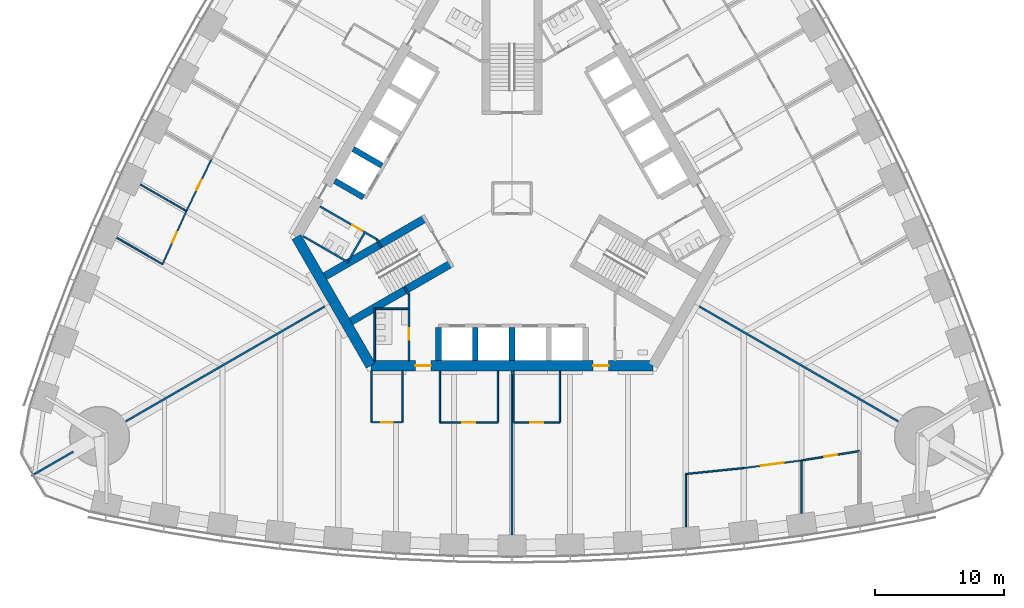
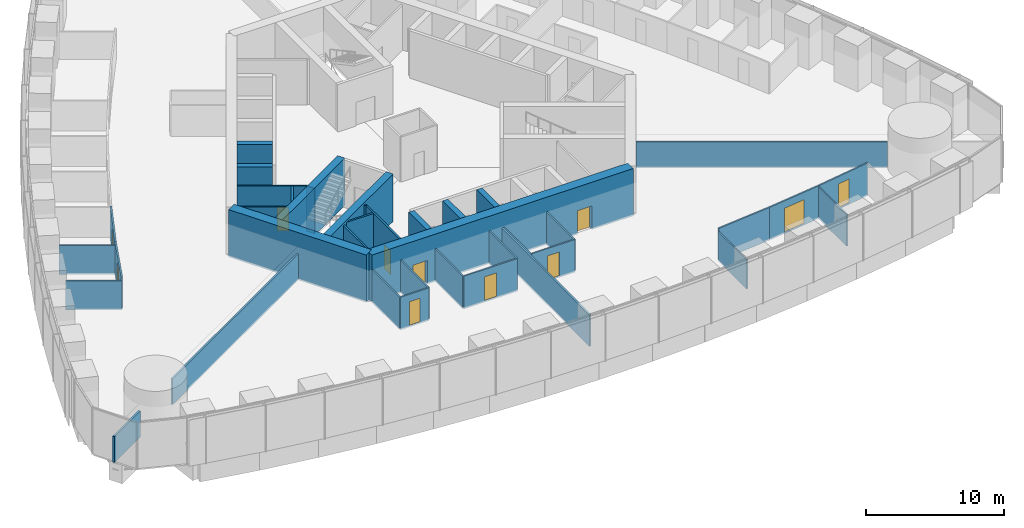
# One storey, part 10 of 19: 39 walls, 11 doors, 11 openings.
"""IFC4 building model written with IfcOpenShell, lengths in metres."""

import ifcopenshell
import ifcopenshell.guid

model = None  # the IFC model being written
_history = None  # IfcOwnerHistory: only IFC2X3 demands one
_inside = {}  # id of a spatial element -> (the spatial element, [elements in it])
_under = {}  # id of a project, library or spatial element -> (it, [spatial elements below it])
_declared = {}  # id of a project -> (the project, [libraries it declares])
_typed = {}  # id of a type object -> (the type object, [elements of that type])
_made_of = {}  # id of a material, layer set ... -> (it, [elements and type objects made of it])


def new_model(schema):
    """Start an empty IFC model of exactly this schema.

    Asked for "IFC4X3", IfcOpenShell would pick the latest addendum, in which some entities
    have other attributes; the version numbers below select the first issue.
    IFC2X3 requires an IfcOwnerHistory on every rooted entity: one is made here for all.
    """
    global model, _history
    if schema == "IFC4X3":
        model = ifcopenshell.file(schema_version=(4, 3, 0, 0))
    else:
        model = ifcopenshell.file(schema=schema)
    _inside.clear()
    _under.clear()
    _declared.clear()
    _typed.clear()
    _made_of.clear()
    _history = None
    if model.schema == "IFC2X3":
        org = make("IfcOrganization", Name="unknown")
        user = make(
            "IfcPersonAndOrganization",
            ThePerson=make("IfcPerson", FamilyName="unknown"),
            TheOrganization=org,
        )
        app = make(
            "IfcApplication",
            ApplicationDeveloper=org,
            Version="unknown",
            ApplicationFullName="unknown",
            ApplicationIdentifier="unknown",
        )
        _history = make(
            "IfcOwnerHistory",
            OwningUser=user,
            OwningApplication=app,
            ChangeAction="ADDED",
            CreationDate=0,
        )
    return model


def make(cls, **values):
    """One entity of the class cls with the attributes given. An attribute that is None is left unset."""
    return model.create_entity(
        cls, **{name: value for name, value in values.items() if value is not None}
    )


def rooted(cls, **values):
    """An entity with a GlobalId (a new one), such as an element, a storey or a relation."""
    return make(cls, GlobalId=ifcopenshell.guid.new(), OwnerHistory=_history, **values)


def si_unit(unit_type, name, prefix=None):
    """IfcSIUnit, for example si_unit("LENGTHUNIT", "METRE", prefix="MILLI")."""
    return make("IfcSIUnit", UnitType=unit_type, Prefix=prefix, Name=name)


def assignment(units):
    """IfcUnitAssignment: the units of a project."""
    return None if units is None else make("IfcUnitAssignment", Units=units)


def point(xyz):
    """IfcCartesianPoint."""
    return None if xyz is None else make("IfcCartesianPoint", Coordinates=xyz)


def direction(xyz):
    """IfcDirection."""
    return None if xyz is None else make("IfcDirection", DirectionRatios=xyz)


def frame(location, z_axis=None, x_axis=None):
    """IfcAxis2Placement3D, a coordinate frame: its origin and axes. An axis left out is left unset."""
    return make(
        "IfcAxis2Placement3D",
        Location=point(location),
        Axis=direction(z_axis),
        RefDirection=direction(x_axis),
    )


def frame_2d(location, x_axis=None):
    """IfcAxis2Placement2D, a coordinate frame in the plane: its origin and x axis."""
    return make(
        "IfcAxis2Placement2D", Location=point(location), RefDirection=direction(x_axis)
    )


def origin():
    """The frame at (0, 0, 0) with its axes left unset."""
    return frame((0.0, 0.0, 0.0))


def place(relative_to, where):
    """IfcLocalPlacement: puts the frame where relative to a parent placement (None: the world)."""
    return make(
        "IfcLocalPlacement", PlacementRelTo=relative_to, RelativePlacement=where
    )


def context(
    kind, dimensions, precision=None, world=None, true_north=None, identifier=None
):
    """IfcGeometricRepresentationContext, for example the 3D "Model" context."""
    return make(
        "IfcGeometricRepresentationContext",
        ContextIdentifier=identifier,
        ContextType=kind,
        CoordinateSpaceDimension=dimensions,
        Precision=precision,
        WorldCoordinateSystem=world,
        TrueNorth=true_north,
    )


def subcontext(parent, identifier, kind, view, scale=None):
    """IfcGeometricRepresentationSubContext, for example "Body" below "Model"."""
    return make(
        "IfcGeometricRepresentationSubContext",
        ContextIdentifier=identifier,
        ContextType=kind,
        ParentContext=parent,
        TargetScale=scale,
        TargetView=view,
    )


def project(units=None, contexts=None):
    """IfcProject with its units and contexts."""
    return rooted(
        "IfcProject",
        Name="project",
        RepresentationContexts=contexts,
        UnitsInContext=assignment(units),
    )


def spatial(cls, under=None, at=None, **own):
    """A site, building, storey or space (cls), placed at a placement, below another one or the project."""
    s = rooted(cls, ObjectPlacement=at, **own)
    if under is not None:
        _under.setdefault(under.id(), (under, []))[1].append(s)
    return s


def profile(cls, at=None, kind="AREA", **sizes):
    """A parametric profile (cls). Its sizes go by their IFC names, for example OverallWidth=200.0."""
    return make(cls, ProfileType=kind, Position=at, **sizes)


def rectangle(**sizes):
    """IfcRectangleProfileDef."""
    return profile("IfcRectangleProfileDef", **sizes)


def extrude(swept, where, along, depth):
    """IfcExtrudedAreaSolid: the profile swept, set in the frame where, extruded along a direction by depth."""
    return make(
        "IfcExtrudedAreaSolid",
        SweptArea=swept,
        Position=where,
        ExtrudedDirection=direction(along),
        Depth=depth,
    )


def shape(context_of_items, identifier, shape_type, items):
    """IfcShapeRepresentation: the items that make up one representation, for example the "Body"."""
    return make(
        "IfcShapeRepresentation",
        ContextOfItems=context_of_items,
        RepresentationIdentifier=identifier,
        RepresentationType=shape_type,
        Items=items,
    )


def material(Name=None, Category=None):
    """IfcMaterial."""
    return make("IfcMaterial", Name=Name, Category=Category)


def layer(
    of_material, thickness, ventilated=None, Name=None, Category=None, Priority=None
):
    """IfcMaterialLayer: one layer of a wall or slab, of a material (None: an air gap)."""
    return make(
        "IfcMaterialLayer",
        Material=of_material,
        LayerThickness=thickness,
        IsVentilated=ventilated,
        Name=Name,
        Category=Category,
        Priority=Priority,
    )


def layer_set(layers, Name=None):
    """IfcMaterialLayerSet."""
    return make("IfcMaterialLayerSet", MaterialLayers=layers, LayerSetName=Name)


def made_of(thing, what):
    """Note that an element or type object is made of a material, layer set ...; save() writes the relation."""
    if what is not None:
        _made_of.setdefault(what.id(), (what, []))[1].append(thing)
    return thing


def type_object(cls, material=None, **own):
    """A type object (cls), such as IfcWallType, which elements share."""
    return made_of(rooted(cls, **own), material)


def element(
    cls,
    number,
    at=None,
    inside=None,
    cuts=None,
    type_object=None,
    material=None,
    context=None,
    identifier="Body",
    shape_type=None,
    held_by="IfcProductDefinitionShape",
    body=None,
    shapes=None,
    **own,
):
    """One element of the class cls, such as IfcWall. Its Tag is "e" and its number.

    at: its placement. inside: the storey or other place that contains it. cuts: it is an
    opening in that element (IfcRelVoidsElement). A single representation is given by context,
    identifier, shape_type and body (its items); several are given by shapes. held_by: the class
    of the entity that holds the representations. save() writes the other relations.
    """
    e = rooted(cls, Tag="e%d" % number, ObjectPlacement=at, **own)
    if body is not None:
        shapes = [shape(context, identifier, shape_type, body)]
    if shapes is not None:
        e.Representation = make(held_by, Representations=shapes)
    if inside is not None:
        _inside.setdefault(inside.id(), (inside, []))[1].append(e)
    if cuts is not None:
        rooted(
            "IfcRelVoidsElement", RelatingBuildingElement=cuts, RelatedOpeningElement=e
        )
    if type_object is not None:
        _typed.setdefault(type_object.id(), (type_object, []))[1].append(e)
    return made_of(e, material)


def fill(opening, filler):
    """IfcRelFillsElement: the door or window that sits in an opening."""
    return rooted(
        "IfcRelFillsElement",
        RelatingOpeningElement=opening,
        RelatedBuildingElement=filler,
    )


def aggregate(whole, parts):
    """IfcRelAggregates: a whole, such as a stair, and the parts it consists of."""
    return rooted("IfcRelAggregates", RelatingObject=whole, RelatedObjects=parts)


def save(model, path):
    """Write the relations noted so far, then the file.

    IfcRelAggregates (storeys below a building ...), IfcRelContainedInSpatialStructure (elements
    in a storey), IfcRelDefinesByType, IfcRelAssociatesMaterial and IfcRelDeclares: one each for
    every whole, place, type object, material and project.
    """
    for whole, parts in _under.values():
        aggregate(whole, parts)
    for where, things in _inside.values():
        rooted(
            "IfcRelContainedInSpatialStructure",
            RelatedElements=things,
            RelatingStructure=where,
        )
    for kind, things in _typed.values():
        rooted("IfcRelDefinesByType", RelatedObjects=things, RelatingType=kind)
    for what, things in _made_of.values():
        rooted("IfcRelAssociatesMaterial", RelatedObjects=things, RelatingMaterial=what)
    for by, libraries in _declared.values():
        rooted("IfcRelDeclares", RelatingContext=by, RelatedDefinitions=libraries)
    model.write(path)


model = new_model("IFC4")

# Units and contexts
model_context = context("Model", 3, precision=1e-05, world=origin(), true_north=direction((0.0, 1.0)))
body_context = subcontext(model_context, "Body", "Model", "MODEL_VIEW")
ifc_project = project(units=[si_unit("LENGTHUNIT", "METRE"), si_unit("AREAUNIT", "SQUARE_METRE"), si_unit("VOLUMEUNIT", "CUBIC_METRE"), si_unit("PLANEANGLEUNIT", "RADIAN"), si_unit("MASSUNIT", "GRAM", prefix="KILO")], contexts=[model_context])

# Site, building, storey
site_placement = place(None, origin())
site = spatial("IfcSite", under=ifc_project, at=site_placement, CompositionType="ELEMENT")
building_placement = place(site_placement, origin())
building = spatial("IfcBuilding", under=site, at=building_placement, Name="Trefoil Bronze Tower", CompositionType="ELEMENT")
storey_placement = place(building_placement, frame((0.0, 0.0, 79.5)))
storey = spatial("IfcBuildingStorey", under=building, at=storey_placement, Name="L18", CompositionType="ELEMENT", Elevation=79.5)

# Wall, openings, doors
ifc_material_1 = material(Name="Concrete B80", Category="concrete")
ifc_layer_1 = layer(ifc_material_1, 0.800048828125)
ifc_layer_set_1 = layer_set([ifc_layer_1], Name="Core wall 800")
wall_type_1 = type_object("IfcWallType", Name="Core wall 800", PredefinedType="SHEAR", material=ifc_layer_set_1)
wall_1_placement = place(storey_placement, frame((-10.9697265625, -13.0, 0.0), z_axis=(0.0, 0.0, 1.0), x_axis=(1.0, 0.0, 0.0)))
wall_1 = element("IfcWall", 1, at=wall_1_placement, inside=storey, type_object=wall_type_1, Name="Core long wall 1 L18", PredefinedType="SHEAR", context=body_context, shape_type="SweptSolid", body=[
    extrude(rectangle(XDim=21.939453125, YDim=0.800048828125, at=frame_2d((10.9697265625, 0.0))), origin(), (0.0, 0.0, 1.0), 4.199951171875),
])
opening_1_placement = place(wall_1_placement, frame((17.269775390625, 0.0, 0.0)))
opening_1 = element("IfcOpeningElement", 2, at=opening_1_placement, cuts=wall_1, Name="Opening D2", PredefinedType="OPENING", context=body_context, shape_type="SweptSolid", body=[
    extrude(rectangle(XDim=1.199951171875, YDim=2.10009765625, at=frame_2d((0.60009765625, 1.050048828125))), frame((0.0, 0.409912109375, 0.0), z_axis=(0.0, -1.0, 0.0), x_axis=(1.0, 0.0, 0.0)), (0.0, 0.0, 1.0), 0.820068359375),
])
opening_2_placement = place(wall_1_placement, frame((3.4697265625, 0.0, 0.0)))
opening_2 = element("IfcOpeningElement", 3, at=opening_2_placement, cuts=wall_1, Name="Opening D2", PredefinedType="OPENING", context=body_context, shape_type="SweptSolid", body=[
    extrude(rectangle(XDim=1.199951171875, YDim=2.10009765625, at=frame_2d((0.60009765625, 1.050048828125))), frame((0.0, 0.409912109375, 0.0), z_axis=(0.0, -1.0, 0.0), x_axis=(1.0, 0.0, 0.0)), (0.0, 0.0, 1.0), 0.820068359375),
])
ifc_material_2 = material(Name="Steel door", Category="steel")
door_type_1 = type_object("IfcDoorType", Name="Lobby door 1200", OperationType="SINGLE_SWING_RIGHT", PredefinedType="DOOR", material=ifc_material_2)
door_1_placement = place(opening_1_placement, origin())
door_1 = element("IfcDoor", 4, at=door_1_placement, inside=storey, type_object=door_type_1, Name="Lobby door F1+ L18", OperationType="SINGLE_SWING_RIGHT", OverallHeight=2.10009765625, OverallWidth=1.199951171875, PredefinedType="DOOR", context=body_context, shape_type="SweptSolid", body=[
    extrude(rectangle(XDim=1.199951171875, YDim=2.10009765625, at=frame_2d((0.60009765625, 1.050048828125))), frame((0.0, 0.02490234375, 0.0), z_axis=(0.0, -1.0, 0.0), x_axis=(1.0, 0.0, 0.0)), (0.0, 0.0, 1.0), 0.050048828125),
])
fill(opening_1, door_1)
door_2_placement = place(opening_2_placement, origin())
door_2 = element("IfcDoor", 5, at=door_2_placement, inside=storey, type_object=door_type_1, Name="Lobby door F1- L18", OperationType="SINGLE_SWING_LEFT", OverallHeight=2.10009765625, OverallWidth=1.199951171875, PredefinedType="DOOR", context=body_context, shape_type="SweptSolid", body=[
    extrude(rectangle(XDim=1.199951171875, YDim=2.10009765625, at=frame_2d((0.60009765625, 1.050048828125))), frame((0.0, 0.02490234375, 0.0), z_axis=(0.0, -1.0, 0.0), x_axis=(1.0, 0.0, 0.0)), (0.0, 0.0, 1.0), 0.050048828125),
])
fill(opening_2, door_2)

# Wall
wall_2_placement = place(storey_placement, frame((-16.7431640625, -3.0, 0.0), z_axis=(0.0, 0.0, 1.0), x_axis=(0.499995765644, -0.866027848477, 0.0)))
element("IfcWall", 6, at=wall_2_placement, inside=storey, type_object=wall_type_1, Name="Core short wall 3 L18", PredefinedType="SHEAR", context=body_context, shape_type="SweptSolid", body=[
    extrude(rectangle(XDim=11.546875, YDim=0.800048828125, at=frame_2d((5.7734375, 0.0))), origin(), (0.0, 0.0, 1.0), 4.199951171875),
])

# Wall, opening, door
ifc_material_3 = material(Name="Glazed partition", Category="glass")
ifc_layer_2 = layer(ifc_material_3, 0.1201171875)
ifc_layer_set_2 = layer_set([ifc_layer_2], Name="Glazed partition 120")
wall_type_2 = type_object("IfcWallType", Name="Glazed partition 120", PredefinedType="PARTITIONING", material=ifc_layer_set_2)
wall_3_placement = place(storey_placement, frame((0.125, -17.39990234375, 0.0), z_axis=(0.0, 0.0, 1.0), x_axis=(1.0, 0.0, 0.0)))
wall_3 = element("IfcWall", 7, at=wall_3_placement, inside=storey, type_object=wall_type_2, Name="Partition F1 L18", PredefinedType="PARTITIONING", context=body_context, shape_type="SweptSolid", body=[
    extrude(rectangle(XDim=3.60009765625, YDim=0.1201171875, at=frame_2d((1.800048828125, 0.0))), origin(), (0.0, 0.0, 1.0), 2.89990234375),
])
opening_3_placement = place(wall_3_placement, frame((1.300048828125, 0.0, 0.14990234375)))
opening_3 = element("IfcOpeningElement", 8, at=opening_3_placement, cuts=wall_3, Name="Opening D9", PredefinedType="OPENING", context=body_context, shape_type="SweptSolid", body=[
    extrude(rectangle(XDim=1.0, YDim=2.10009765625, at=frame_2d((0.5, 1.050048828125))), frame((0.0, 0.070068359375, 0.0), z_axis=(0.0, -1.0, 0.0), x_axis=(1.0, 0.0, 0.0)), (0.0, 0.0, 1.0), 0.14013671875),
])
ifc_material_4 = material(Name="Glazed timber door", Category="wood")
door_type_2 = type_object("IfcDoorType", Name="Meeting room door 1000", OperationType="SINGLE_SWING_LEFT", PredefinedType="DOOR", material=ifc_material_4)
door_3_placement = place(opening_3_placement, origin())
door_3 = element("IfcDoor", 9, at=door_3_placement, inside=storey, type_object=door_type_2, Name="Meeting room door F1 L18", OperationType="SINGLE_SWING_LEFT", OverallHeight=2.10009765625, OverallWidth=1.0, PredefinedType="DOOR", context=body_context, shape_type="SweptSolid", body=[
    extrude(rectangle(XDim=1.0, YDim=2.10009765625, at=frame_2d((0.5, 1.050048828125))), frame((0.0, 0.02490234375, 0.0), z_axis=(0.0, -1.0, 0.0), x_axis=(1.0, 0.0, 0.0)), (0.0, 0.0, 1.0), 0.050048828125),
])
fill(opening_3, door_3)

wall_4_placement = place(storey_placement, frame((-10.89990234375, -17.39990234375, 0.0), z_axis=(0.0, 0.0, 1.0), x_axis=(1.0, 0.0, 0.0)))
wall_4 = element("IfcWall", 10, at=wall_4_placement, inside=storey, type_object=wall_type_2, Name="Partition F1 L18", PredefinedType="PARTITIONING", context=body_context, shape_type="SweptSolid", body=[
    extrude(rectangle(XDim=2.39990234375, YDim=0.1201171875, at=frame_2d((1.199951171875, 0.0))), origin(), (0.0, 0.0, 1.0), 2.89990234375),
])
opening_4_placement = place(wall_4_placement, frame((0.75, 0.0, 0.14990234375)))
opening_4 = element("IfcOpeningElement", 11, at=opening_4_placement, cuts=wall_4, Name="Opening D8", PredefinedType="OPENING", context=body_context, shape_type="SweptSolid", body=[
    extrude(rectangle(XDim=0.89990234375, YDim=2.10009765625, at=frame_2d((0.449951171875, 1.050048828125))), frame((0.0, 0.070068359375, 0.0), z_axis=(0.0, -1.0, 0.0), x_axis=(1.0, 0.0, 0.0)), (0.0, 0.0, 1.0), 0.14013671875),
])
ifc_material_5 = material(Name="Timber door", Category="wood")
door_type_3 = type_object("IfcDoorType", Name="Office door 900", OperationType="SINGLE_SWING_LEFT", PredefinedType="DOOR", material=ifc_material_5)
door_4_placement = place(opening_4_placement, origin())
door_4 = element("IfcDoor", 12, at=door_4_placement, inside=storey, type_object=door_type_3, Name="Comms room door F1 L18", OperationType="SINGLE_SWING_LEFT", OverallHeight=2.10009765625, OverallWidth=0.89990234375, PredefinedType="DOOR", context=body_context, shape_type="SweptSolid", body=[
    extrude(rectangle(XDim=0.89990234375, YDim=2.10009765625, at=frame_2d((0.449951171875, 1.050048828125))), frame((0.0, 0.02490234375, 0.0), z_axis=(0.0, -1.0, 0.0), x_axis=(1.0, 0.0, 0.0)), (0.0, 0.0, 1.0), 0.050048828125),
])
fill(opening_4, door_4)

wall_5_placement = place(storey_placement, frame((-5.60009765625, -17.39990234375, 0.0), z_axis=(0.0, 0.0, 1.0), x_axis=(1.0, 0.0, 0.0)))
wall_5 = element("IfcWall", 13, at=wall_5_placement, inside=storey, type_object=wall_type_2, Name="Partition F1 L18", PredefinedType="PARTITIONING", context=body_context, shape_type="SweptSolid", body=[
    extrude(rectangle(XDim=4.5, YDim=0.1201171875, at=frame_2d((2.25, 0.0))), origin(), (0.0, 0.0, 1.0), 2.89990234375),
])
opening_5_placement = place(wall_5_placement, frame((1.75, 0.0, 0.14990234375)))
opening_5 = element("IfcOpeningElement", 14, at=opening_5_placement, cuts=wall_5, Name="Opening D9", PredefinedType="OPENING", context=body_context, shape_type="SweptSolid", body=[
    extrude(rectangle(XDim=1.0, YDim=2.10009765625, at=frame_2d((0.5, 1.050048828125))), frame((0.0, 0.070068359375, 0.0), z_axis=(0.0, -1.0, 0.0), x_axis=(1.0, 0.0, 0.0)), (0.0, 0.0, 1.0), 0.14013671875),
])
door_5_placement = place(opening_5_placement, origin())
door_5 = element("IfcDoor", 15, at=door_5_placement, inside=storey, type_object=door_type_2, Name="Project room door F1 L18", OperationType="SINGLE_SWING_LEFT", OverallHeight=2.10009765625, OverallWidth=1.0, PredefinedType="DOOR", context=body_context, shape_type="SweptSolid", body=[
    extrude(rectangle(XDim=1.0, YDim=2.10009765625, at=frame_2d((0.5, 1.050048828125))), frame((0.0, 0.02490234375, 0.0), z_axis=(0.0, -1.0, 0.0), x_axis=(1.0, 0.0, 0.0)), (0.0, 0.0, 1.0), 0.050048828125),
])
fill(opening_5, door_5)

# Walls
wall_6_placement = place(storey_placement, frame((0.125, -13.39990234375, 0.0), z_axis=(0.0, 0.0, 1.0), x_axis=(0.0, -1.0, 0.0)))
element("IfcWall", 16, at=wall_6_placement, inside=storey, type_object=wall_type_2, Name="Partition F1 L18", PredefinedType="PARTITIONING", context=body_context, shape_type="SweptSolid", body=[
    extrude(rectangle(XDim=4.0, YDim=0.1201171875, at=frame_2d((2.0, 0.0))), origin(), (0.0, 0.0, 1.0), 2.800048828125),
])
for number, where, z_axis, x_axis, name in (
    (17, (3.72509765625, -13.39990234375, 0.0), (0.0, 0.0, 1.0), (0.0, -1.0, 0.0), "Partition F1 L18"),
    (18, (-1.10009765625, -13.39990234375, 0.0), (0.0, 0.0, 1.0), (0.0, -1.0, 0.0), "Partition F1 L18"),
    (19, (-10.89990234375, -13.39990234375, 0.0), (0.0, 0.0, 1.0), (0.0, -1.0, 0.0), "Partition F1 L18"),
    (20, (-5.60009765625, -13.39990234375, 0.0), (0.0, 0.0, 1.0), (0.0, -1.0, 0.0), "Partition F1 L18"),
    (21, (-8.5, -13.39990234375, 0.0), (0.0, 0.0, 1.0), (0.0, -1.0, 0.0), "Partition F1 L18"),
):
    element("IfcWall", number, at=place(storey_placement, frame(where, z_axis=z_axis, x_axis=x_axis)), inside=storey, type_object=wall_type_2, Name=name, PredefinedType="PARTITIONING", context=body_context, shape_type="SweptSolid", body=[
        extrude(rectangle(XDim=4.0, YDim=0.1201171875, at=frame_2d((2.0, 0.0))), origin(), (0.0, 0.0, 1.0), 2.89990234375),
    ])
wall_7_placement = place(storey_placement, frame((13.5, -21.409912109375, 0.0), z_axis=(0.0, 0.0, 1.0), x_axis=(0.994833141332, 0.101523499286, 0.0)))
element("IfcWall", 22, at=wall_7_placement, inside=storey, type_object=wall_type_2, Name="Partition F1 L18", PredefinedType="PARTITIONING", context=body_context, shape_type="SweptSolid", body=[
    extrude(rectangle(XDim=4.5234375, YDim=0.1201171875, at=frame_2d((2.26171875, 0.0))), origin(), (0.0, 0.0, 1.0), 2.89990234375),
])

# Wall, opening, door
wall_8_placement = place(storey_placement, frame((18.0, -20.95068359375, 0.0), z_axis=(0.0, 0.0, 1.0), x_axis=(0.991435244698, 0.130599217346, 0.0)))
wall_8 = element("IfcWall", 23, at=wall_8_placement, inside=storey, type_object=wall_type_2, Name="Partition F1 L18", PredefinedType="PARTITIONING", context=body_context, shape_type="SweptSolid", body=[
    extrude(rectangle(XDim=4.538818359375, YDim=0.1201171875, at=frame_2d((2.26953125, 0.0))), origin(), (0.0, 0.0, 1.0), 2.89990234375),
])
opening_6_placement = place(wall_8_placement, frame((1.35009765625, 0.0, 0.14990234375)))
opening_6 = element("IfcOpeningElement", 24, at=opening_6_placement, cuts=wall_8, Name="Opening D10", PredefinedType="OPENING", context=body_context, shape_type="SweptSolid", body=[
    extrude(rectangle(XDim=1.800048828125, YDim=2.10009765625, at=frame_2d((0.89990234375, 1.050048828125))), frame((0.0, 0.070068359375, 0.0), z_axis=(0.0, -1.0, 0.0), x_axis=(1.0, 0.0, 0.0)), (0.0, 0.0, 1.0), 0.14013671875),
])
ifc_material_6 = material(Name="Timber door", Category="wood")
door_type_4 = type_object("IfcDoorType", Name="Double door 1800", OperationType="DOUBLE_DOOR_SINGLE_SWING", PredefinedType="DOOR", material=ifc_material_6)
door_6_placement = place(opening_6_placement, frame((1.800048828125, 0.0, 0.0), z_axis=(0.0, 0.0, 1.0), x_axis=(-1.0, 0.0, 0.0)))
door_6 = element("IfcDoor", 25, at=door_6_placement, inside=storey, type_object=door_type_4, Name="Kitchen and breakout door F1 L18", OperationType="DOUBLE_DOOR_SINGLE_SWING", OverallHeight=2.10009765625, OverallWidth=1.800048828125, PredefinedType="DOOR", context=body_context, shape_type="SweptSolid", body=[
    extrude(rectangle(XDim=1.800048828125, YDim=2.10009765625, at=frame_2d((0.89990234375, 1.050048828125))), frame((0.0, 0.02490234375, 0.0), z_axis=(0.0, -1.0, 0.0), x_axis=(1.0, 0.0, 0.0)), (0.0, 0.0, 1.0), 0.050048828125),
])
fill(opening_6, door_6)

wall_9_placement = place(storey_placement, frame((22.5, -20.35791015625, 0.0), z_axis=(0.0, 0.0, 1.0), x_axis=(0.987181300889, 0.159602879593, 0.0)))
wall_9 = element("IfcWall", 26, at=wall_9_placement, inside=storey, type_object=wall_type_2, Name="Partition F1 L18", PredefinedType="PARTITIONING", context=body_context, shape_type="SweptSolid", body=[
    extrude(rectangle(XDim=4.558349609375, YDim=0.1201171875, at=frame_2d((2.279296875, 0.0))), origin(), (0.0, 0.0, 1.0), 2.89990234375),
])
opening_7_placement = place(wall_9_placement, frame((1.800048828125, 0.0, 0.14990234375)))
opening_7 = element("IfcOpeningElement", 27, at=opening_7_placement, cuts=wall_9, Name="Opening D9", PredefinedType="OPENING", context=body_context, shape_type="SweptSolid", body=[
    extrude(rectangle(XDim=1.0, YDim=2.10009765625, at=frame_2d((0.5, 1.050048828125))), frame((0.0, 0.070068359375, 0.0), z_axis=(0.0, -1.0, 0.0), x_axis=(1.0, 0.0, 0.0)), (0.0, 0.0, 1.0), 0.14013671875),
])
door_7_placement = place(opening_7_placement, frame((1.0, 0.0, 0.0), z_axis=(0.0, 0.0, 1.0), x_axis=(-1.0, 0.0, 0.0)))
door_7 = element("IfcDoor", 28, at=door_7_placement, inside=storey, type_object=door_type_2, Name="Meeting room door F1 L18", OperationType="SINGLE_SWING_LEFT", OverallHeight=2.10009765625, OverallWidth=1.0, PredefinedType="DOOR", context=body_context, shape_type="SweptSolid", body=[
    extrude(rectangle(XDim=1.0, YDim=2.10009765625, at=frame_2d((0.5, 1.050048828125))), frame((0.0, 0.02490234375, 0.0), z_axis=(0.0, -1.0, 0.0), x_axis=(1.0, 0.0, 0.0)), (0.0, 0.0, 1.0), 0.050048828125),
])
fill(opening_7, door_7)

# Walls
wall_10_placement = place(storey_placement, frame((13.5, -21.409912109375, 0.0), z_axis=(0.0, 0.0, 1.0), x_axis=(0.0, -1.0, 0.0)))
element("IfcWall", 29, at=wall_10_placement, inside=storey, type_object=wall_type_2, Name="Partition F1 L18", PredefinedType="PARTITIONING", context=body_context, shape_type="SweptSolid", body=[
    extrude(rectangle(XDim=4.114013671875, YDim=0.1201171875, at=frame_2d((2.05712890625, 0.0))), origin(), (0.0, 0.0, 1.0), 2.60009765625),
])
wall_11_placement = place(storey_placement, frame((22.5, -20.35791015625, 0.0), z_axis=(0.0, 0.0, 1.0), x_axis=(0.0, -1.0, 0.0)))
element("IfcWall", 30, at=wall_11_placement, inside=storey, type_object=wall_type_2, Name="Partition F1 L18", PredefinedType="PARTITIONING", context=body_context, shape_type="SweptSolid", body=[
    extrude(rectangle(XDim=4.102783203125, YDim=0.1201171875, at=frame_2d((2.05126953125, 0.0))), origin(), (0.0, 0.0, 1.0), 2.800048828125),
])

# Wall, opening, door
wall_12_placement = place(storey_placement, frame((-25.291748046875, -0.986328125, 0.0), z_axis=(0.0, 0.0, 1.0), x_axis=(-0.409451055745, -0.912332084796, 0.0)))
wall_12 = element("IfcWall", 31, at=wall_12_placement, inside=storey, type_object=wall_type_2, Name="Partition F3 L18", PredefinedType="PARTITIONING", context=body_context, shape_type="SweptSolid", body=[
    extrude(rectangle(XDim=4.523193359375, YDim=0.1201171875, at=frame_2d((2.26171875, 0.0))), origin(), (0.0, 0.0, 1.0), 2.89990234375),
])
opening_8_placement = place(wall_12_placement, frame((1.800048828125, 0.0, 0.14990234375)))
opening_8 = element("IfcOpeningElement", 32, at=opening_8_placement, cuts=wall_12, Name="Opening D8", PredefinedType="OPENING", context=body_context, shape_type="SweptSolid", body=[
    extrude(rectangle(XDim=0.89990234375, YDim=2.10009765625, at=frame_2d((0.449951171875, 1.050048828125))), frame((0.0, 0.070068359375, 0.0), z_axis=(0.0, -1.0, 0.0), x_axis=(1.0, 0.0, 0.0)), (0.0, 0.0, 1.0), 0.14013671875),
])
door_8_placement = place(opening_8_placement, frame((0.89990234375, 0.0, 0.0), z_axis=(0.0, 0.0, 1.0), x_axis=(-1.0, 0.0, 0.0)))
door_8 = element("IfcDoor", 33, at=door_8_placement, inside=storey, type_object=door_type_3, Name="Office door F3 L18", OperationType="SINGLE_SWING_RIGHT", OverallHeight=2.10009765625, OverallWidth=0.89990234375, PredefinedType="DOOR", context=body_context, shape_type="SweptSolid", body=[
    extrude(rectangle(XDim=0.89990234375, YDim=2.10009765625, at=frame_2d((0.449951171875, 1.050048828125))), frame((0.0, 0.02490234375, 0.0), z_axis=(0.0, -1.0, 0.0), x_axis=(1.0, 0.0, 0.0)), (0.0, 0.0, 1.0), 0.050048828125),
])
fill(opening_8, door_8)

wall_13_placement = place(storey_placement, frame((-23.3251953125, 3.074462890625, 0.0), z_axis=(0.0, 0.0, 1.0), x_axis=(-0.435857917556, -0.900015486369, 0.0)))
wall_13 = element("IfcWall", 34, at=wall_13_placement, inside=storey, type_object=wall_type_2, Name="Partition F3 L18", PredefinedType="PARTITIONING", context=body_context, shape_type="SweptSolid", body=[
    extrude(rectangle(XDim=4.511962890625, YDim=0.1201171875, at=frame_2d((2.255859375, 0.0))), origin(), (0.0, 0.0, 1.0), 2.89990234375),
])
opening_9_placement = place(wall_13_placement, frame((1.800048828125, 0.0, 0.14990234375)))
opening_9 = element("IfcOpeningElement", 35, at=opening_9_placement, cuts=wall_13, Name="Opening D8", PredefinedType="OPENING", context=body_context, shape_type="SweptSolid", body=[
    extrude(rectangle(XDim=0.89990234375, YDim=2.10009765625, at=frame_2d((0.449951171875, 1.050048828125))), frame((0.0, 0.070068359375, 0.0), z_axis=(0.0, -1.0, 0.0), x_axis=(1.0, 0.0, 0.0)), (0.0, 0.0, 1.0), 0.14013671875),
])
door_9_placement = place(opening_9_placement, frame((0.89990234375, 0.0, 0.0), z_axis=(0.0, 0.0, 1.0), x_axis=(-1.0, 0.0, 0.0)))
door_9 = element("IfcDoor", 36, at=door_9_placement, inside=storey, type_object=door_type_3, Name="Office door F3 L18", OperationType="SINGLE_SWING_RIGHT", OverallHeight=2.10009765625, OverallWidth=0.89990234375, PredefinedType="DOOR", context=body_context, shape_type="SweptSolid", body=[
    extrude(rectangle(XDim=0.89990234375, YDim=2.10009765625, at=frame_2d((0.449951171875, 1.050048828125))), frame((0.0, 0.02490234375, 0.0), z_axis=(0.0, -1.0, 0.0), x_axis=(1.0, 0.0, 0.0)), (0.0, 0.0, 1.0), 0.050048828125),
])
fill(opening_9, door_9)

# Walls
wall_14_placement = place(storey_placement, frame((-25.291748046875, -0.986328125, 0.0), z_axis=(0.0, 0.0, 1.0), x_axis=(-0.86601756884, 0.500013570277, 0.0)))
element("IfcWall", 37, at=wall_14_placement, inside=storey, type_object=wall_type_2, Name="Partition F3 L18", PredefinedType="PARTITIONING", context=body_context, shape_type="SweptSolid", body=[
    extrude(rectangle(XDim=4.11376953125, YDim=0.1201171875, at=frame_2d((2.056884765625, 0.0))), origin(), (0.0, 0.0, 1.0), 2.60009765625),
])
wall_15_placement = place(storey_placement, frame((-27.143798828125, -5.113037109375, 0.0), z_axis=(0.0, 0.0, 1.0), x_axis=(-0.866022320763, 0.500005339912, 0.0)))
element("IfcWall", 38, at=wall_15_placement, inside=storey, type_object=wall_type_2, Name="Partition F3 L18", PredefinedType="PARTITIONING", context=body_context, shape_type="SweptSolid", body=[
    extrude(rectangle(XDim=4.10888671875, YDim=0.1201171875, at=frame_2d((2.054443359375, 0.0))), origin(), (0.0, 0.0, 1.0), 2.60009765625),
])
ifc_material_7 = material(Name="Concrete B80", Category="concrete")
ifc_layer_3 = layer(ifc_material_7, 0.449951171875)
ifc_layer_set_3 = layer_set([ifc_layer_3], Name="Outrigger shaft wall 450")
wall_type_3 = type_object("IfcWallType", Name="Outrigger shaft wall 450", PredefinedType="SHEAR", material=ifc_layer_set_3)
for number, where, z_axis, x_axis, name in (
    (39, (-5.699951171875, -10.02490234375, 0.0), (0.0, 0.0, 1.0), (0.0, -1.0, 0.0), "Lift shaft side wall A0 L18"),
    (40, (-2.85009765625, -10.02490234375, 0.0), (0.0, 0.0, 1.0), (0.0, -1.0, 0.0), "Lift shaft side wall A1 L18"),
    (41, (0.0, -10.02490234375, 0.0), (0.0, 0.0, 1.0), (0.0, -1.0, 0.0), "Lift shaft side wall A2 L18"),
):
    element("IfcWall", number, at=place(storey_placement, frame(where, z_axis=z_axis, x_axis=x_axis)), inside=storey, type_object=wall_type_3, Name=name, PredefinedType="SHEAR", context=body_context, shape_type="SweptSolid", body=[
        extrude(rectangle(XDim=2.5751953125, YDim=0.449951171875, at=frame_2d((1.28759765625, 0.0))), origin(), (0.0, 0.0, 1.0), 4.199951171875),
    ])
for number, where, z_axis, x_axis, name in (
    (42, (-10.10693359375, 2.54443359375, 0.0), (0.0, 0.0, 1.0), (-0.866046643894, 0.499963209246, 0.0), "Lift shaft side wall C3 L18"),
    (43, (-11.531982421875, 0.076171875, 0.0), (0.0, 0.0, 1.0), (-0.866005588531, 0.500034319456, 0.0), "Lift shaft side wall C4 L18"),
):
    element("IfcWall", number, at=place(storey_placement, frame(where, z_axis=z_axis, x_axis=x_axis)), inside=storey, type_object=wall_type_3, Name=name, PredefinedType="SHEAR", context=body_context, shape_type="SweptSolid", body=[
        extrude(rectangle(XDim=2.574951171875, YDim=0.449951171875, at=frame_2d((1.28759765625, 0.0))), origin(), (0.0, 0.0, 1.0), 4.199951171875),
    ])

# Wall, opening, door
ifc_material_8 = material(Name="Gypsum board on steel studs", Category="steel")
ifc_layer_4 = layer(ifc_material_8, 0.14990234375)
ifc_layer_set_4 = layer_set([ifc_layer_4], Name="Partition 150")
wall_type_4 = type_object("IfcWallType", Name="Partition 150", PredefinedType="PARTITIONING", material=ifc_layer_set_4)
wall_16_placement = place(storey_placement, frame((-8.0, -7.5, 0.0), z_axis=(0.0, 0.0, 1.0), x_axis=(0.0, -1.0, 0.0)))
wall_16 = element("IfcWall", 44, at=wall_16_placement, inside=storey, type_object=wall_type_4, Name="Passage wall F1- L18", PredefinedType="PARTITIONING", context=body_context, shape_type="SweptSolid", body=[
    extrude(rectangle(XDim=5.10009765625, YDim=0.14990234375, at=frame_2d((2.550048828125, 0.0))), origin(), (0.0, 0.0, 1.0), 4.0),
])
opening_10_placement = place(wall_16_placement, frame((2.60009765625, 0.0, 0.0)))
opening_10 = element("IfcOpeningElement", 45, at=opening_10_placement, cuts=wall_16, Name="Opening D3", PredefinedType="OPENING", context=body_context, shape_type="SweptSolid", body=[
    extrude(rectangle(XDim=0.89990234375, YDim=2.10009765625, at=frame_2d((0.449951171875, 1.050048828125))), frame((0.0, 0.0849609375, 0.0), z_axis=(0.0, -1.0, 0.0), x_axis=(1.0, 0.0, 0.0)), (0.0, 0.0, 1.0), 0.169921875),
])
ifc_material_9 = material(Name="Timber door", Category="wood")
door_type_5 = type_object("IfcDoorType", Name="WC door 900", OperationType="SINGLE_SWING_LEFT", PredefinedType="DOOR", material=ifc_material_9)
door_10_placement = place(opening_10_placement, frame((0.89990234375, 0.0, 0.0), z_axis=(0.0, 0.0, 1.0), x_axis=(-1.0, 0.0, 0.0)))
door_10 = element("IfcDoor", 46, at=door_10_placement, inside=storey, type_object=door_type_5, Name="WC (women) door L18", OperationType="SINGLE_SWING_RIGHT", OverallHeight=2.10009765625, OverallWidth=0.89990234375, PredefinedType="DOOR", context=body_context, shape_type="SweptSolid", body=[
    extrude(rectangle(XDim=0.89990234375, YDim=2.10009765625, at=frame_2d((0.449951171875, 1.050048828125))), frame((0.0, 0.02490234375, 0.0), z_axis=(0.0, -1.0, 0.0), x_axis=(1.0, 0.0, 0.0)), (0.0, 0.0, 1.0), 0.050048828125),
])
fill(opening_10, door_10)

wall_17_placement = place(storey_placement, frame((-10.4951171875, -3.17822265625, 0.0), z_axis=(0.0, 0.0, 1.0), x_axis=(-0.86602216432, 0.500005610874, 0.0)))
wall_17 = element("IfcWall", 47, at=wall_17_placement, inside=storey, type_object=wall_type_4, Name="Passage wall F3+ L18", PredefinedType="PARTITIONING", context=body_context, shape_type="SweptSolid", body=[
    extrude(rectangle(XDim=5.10009765625, YDim=0.14990234375, at=frame_2d((2.550048828125, 0.0))), origin(), (0.0, 0.0, 1.0), 4.0),
])
opening_11_placement = place(wall_17_placement, frame((1.300048828125, 0.0, 0.0)))
opening_11 = element("IfcOpeningElement", 48, at=opening_11_placement, cuts=wall_17, Name="Opening D3", PredefinedType="OPENING", context=body_context, shape_type="SweptSolid", body=[
    extrude(rectangle(XDim=0.89990234375, YDim=2.10009765625, at=frame_2d((0.449951171875, 1.050048828125))), frame((0.0, 0.0849609375, 0.0), z_axis=(0.0, -1.0, 0.0), x_axis=(1.0, 0.0, 0.0)), (0.0, 0.0, 1.0), 0.169921875),
])
door_11_placement = place(opening_11_placement, origin())
door_11 = element("IfcDoor", 49, at=door_11_placement, inside=storey, type_object=door_type_5, Name="WC (men) door L18", OperationType="SINGLE_SWING_LEFT", OverallHeight=2.10009765625, OverallWidth=0.89990234375, PredefinedType="DOOR", context=body_context, shape_type="SweptSolid", body=[
    extrude(rectangle(XDim=0.89990234375, YDim=2.10009765625, at=frame_2d((0.449951171875, 1.050048828125))), frame((0.0, 0.02490234375, 0.0), z_axis=(0.0, -1.0, 0.0), x_axis=(1.0, 0.0, 0.0)), (0.0, 0.0, 1.0), 0.050048828125),
])
fill(opening_11, door_11)

# Walls
for number, where, z_axis, x_axis, name in (
    (50, (-10.4951171875, -3.17822265625, 0.0), (0.0, 0.0, 1.0), (0.499842556608, -0.866116284689, 0.0), "WC wall ST3-1 L18"),
    (51, (-8.0, -7.5, 0.0), (0.0, 0.0, 1.0), (-0.499842556608, 0.866116284689, 0.0), "WC wall ST3+1 L18"),
):
    element("IfcWall", number, at=place(storey_placement, frame(where, z_axis=z_axis, x_axis=x_axis)), inside=storey, type_object=wall_type_4, Name=name, PredefinedType="PARTITIONING", context=body_context, shape_type="SweptSolid", body=[
        extrude(rectangle(XDim=0.645263671875, YDim=0.14990234375, at=frame_2d((0.32275390625, 0.0))), origin(), (0.0, 0.0, 1.0), 4.0),
    ])
wall_18_placement = place(storey_placement, frame((-12.691162109375, -4.98193359375, 0.0), z_axis=(0.0, 0.0, 1.0), x_axis=(-0.8660249478, 0.500000789788, 0.0)))
element("IfcWall", 52, at=wall_18_placement, inside=storey, type_object=wall_type_4, Name="WC partition WC (men) L18", PredefinedType="PARTITIONING", context=body_context, shape_type="SweptSolid", body=[
    extrude(rectangle(XDim=4.10009765625, YDim=0.14990234375, at=frame_2d((2.050048828125, 0.0))), origin(), (0.0, 0.0, 1.0), 4.0),
])
wall_19_placement = place(storey_placement, frame((-11.463623046875, -2.70556640625, 0.0), z_axis=(0.0, 0.0, 1.0), x_axis=(-0.50001992892, -0.866013897511, 0.0)))
element("IfcWall", 53, at=wall_19_placement, inside=storey, type_object=wall_type_4, Name="WC partition WC (men) L18", PredefinedType="PARTITIONING", context=body_context, shape_type="SweptSolid", body=[
    extrude(rectangle(XDim=2.51025390625, YDim=0.14990234375, at=frame_2d((1.255126953125, 0.0))), origin(), (0.0, 0.0, 1.0), 4.0),
])
wall_20_placement = place(storey_placement, frame((-10.659912109375, -8.5, 0.0), z_axis=(0.0, 0.0, 1.0), x_axis=(0.0, -1.0, 0.0)))
element("IfcWall", 54, at=wall_20_placement, inside=storey, type_object=wall_type_4, Name="WC partition WC (women) L18", PredefinedType="PARTITIONING", context=body_context, shape_type="SweptSolid", body=[
    extrude(rectangle(XDim=4.10009765625, YDim=0.14990234375, at=frame_2d((2.050048828125, 0.0))), origin(), (0.0, 0.0, 1.0), 4.0),
])
wall_21_placement = place(storey_placement, frame((-8.074951171875, -8.574951171875, 0.0), z_axis=(0.0, 0.0, 1.0), x_axis=(-1.0, 0.0, 0.0)))
element("IfcWall", 55, at=wall_21_placement, inside=storey, type_object=wall_type_4, Name="WC partition WC (women) L18", PredefinedType="PARTITIONING", context=body_context, shape_type="SweptSolid", body=[
    extrude(rectangle(XDim=2.510009765625, YDim=0.14990234375, at=frame_2d((1.2548828125, 0.0))), origin(), (0.0, 0.0, 1.0), 4.0),
])
ifc_material_10 = material(Name="Gypsum board on steel studs", Category="steel")
ifc_layer_5 = layer(ifc_material_10, 0.14990234375)
ifc_layer_set_5 = layer_set([ifc_layer_5], Name="Party wall 150")
wall_type_5 = type_object("IfcWallType", Name="Party wall 150", PredefinedType="PARTITIONING", material=ifc_layer_set_5)
for number, where, z_axis, x_axis, name in (
    (56, (14.202880859375, -8.199951171875, 0.0), (0.0, 0.0, 1.0), (0.866024965723, -0.500000758745, 0.0), "Party wall K1 L18"),
    (57, (-14.202880859375, -8.199951171875, 0.0), (0.0, 0.0, 1.0), (-0.866024965723, -0.500000758745, 0.0), "Party wall K3 L18"),
):
    element("IfcWall", number, at=place(storey_placement, frame(where, z_axis=z_axis, x_axis=x_axis)), inside=storey, type_object=wall_type_5, Name=name, PredefinedType="PARTITIONING", context=body_context, shape_type="SweptSolid", body=[
        extrude(rectangle(XDim=18.25, YDim=0.14990234375, at=frame_2d((9.125, 0.0))), origin(), (0.0, 0.0, 1.0), 2.300048828125),
    ])
wall_22_placement = place(storey_placement, frame((-34.078125, -19.675048828125, 0.0), z_axis=(0.0, 0.0, 1.0), x_axis=(-0.866019247219, -0.500010663332, 0.0)))
element("IfcWall", 58, at=wall_22_placement, inside=storey, type_object=wall_type_5, Name="Party wall K3 L18", PredefinedType="PARTITIONING", context=body_context, shape_type="SweptSolid", body=[
    extrude(rectangle(XDim=3.76416015625, YDim=0.14990234375, at=frame_2d((1.882080078125, 0.0))), origin(), (0.0, 0.0, 1.0), 2.300048828125),
])
wall_23_placement = place(storey_placement, frame((0.0, -13.409912109375, 0.0), z_axis=(0.0, 0.0, 1.0), x_axis=(0.0, -1.0, 0.0)))
element("IfcWall", 59, at=wall_23_placement, inside=storey, type_object=wall_type_5, Name="Demising wall F1 L18", PredefinedType="PARTITIONING", context=body_context, shape_type="SweptSolid", body=[
    extrude(rectangle(XDim=12.708740234375, YDim=0.14990234375, at=frame_2d((6.3544921875, 0.0))), origin(), (0.0, 0.0, 1.0), 2.800048828125),
])
ifc_material_11 = material(Name="Concrete B80", Category="concrete")
ifc_layer_6 = layer(ifc_material_11, 0.60009765625)
ifc_layer_set_6 = layer_set([ifc_layer_6], Name="Stair wall 600")
wall_type_6 = type_object("IfcWallType", Name="Stair wall 600", PredefinedType="SHEAR", material=ifc_layer_set_6)
for number, where, z_axis, x_axis, name in (
    (60, (-6.663330078125, -1.5087890625, 0.0), (0.0, 0.0, 1.0), (-0.866019375473, -0.500010441196, 0.0), "Stair wall ST3 L18"),
    (61, (-4.638427734375, -5.01611328125, 0.0), (0.0, 0.0, 1.0), (-0.866019375473, -0.500010441196, 0.0), "Stair wall ST3 L18"),
):
    element("IfcWall", number, at=place(storey_placement, frame(where, z_axis=z_axis, x_axis=x_axis)), inside=storey, type_object=wall_type_6, Name=name, PredefinedType="SHEAR", context=body_context, shape_type="SweptSolid", body=[
        extrude(rectangle(XDim=9.074951171875, YDim=0.60009765625, at=frame_2d((4.53759765625, 0.0))), origin(), (0.0, 0.0, 1.0), 4.199951171875),
    ])

save(model, "model.ifc")
